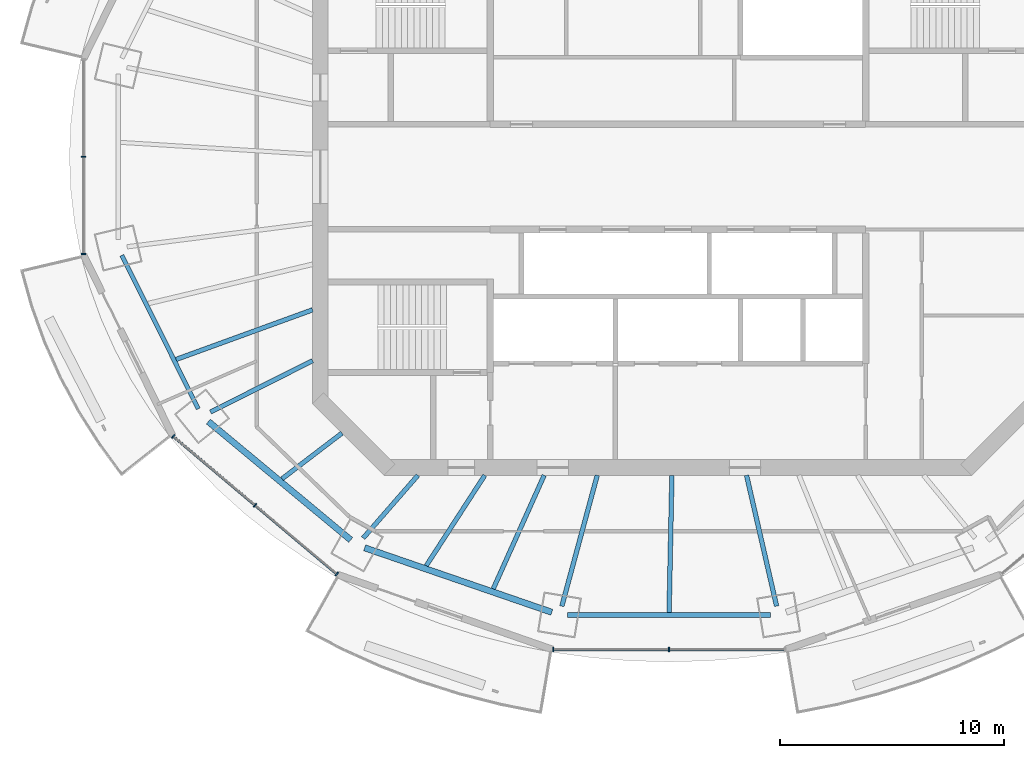
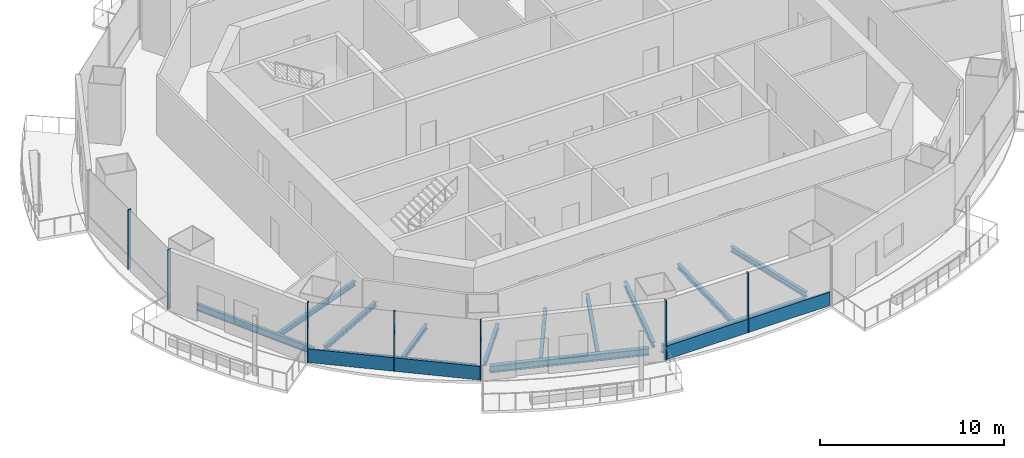
# One storey, part 2 of 16: 13 beams, 9 members, 3 elements without a shape of their own.
"""IFC4 building model written with IfcOpenShell, lengths in metres."""

from ifc_helpers import new_model, si_unit, direction, frame, origin, origin_2d, place, context, subcontext, project, spatial, rectangle, i_section, extrude, material, material_profile, profile_set, type_object, element, aggregate, save


model = new_model("IFC4")

# Units and contexts
model_context = context("Model", 3, precision=1e-05, world=origin(), true_north=direction((0.0, 1.0)))
body_context = subcontext(model_context, "Body", "Model", "MODEL_VIEW")
ifc_project = project(units=[si_unit("LENGTHUNIT", "METRE"), si_unit("AREAUNIT", "SQUARE_METRE"), si_unit("VOLUMEUNIT", "CUBIC_METRE"), si_unit("PLANEANGLEUNIT", "RADIAN"), si_unit("MASSUNIT", "GRAM", prefix="KILO")], contexts=[model_context])

# Site, building, storey
site_placement = place(None, origin())
site = spatial("IfcSite", under=ifc_project, at=site_placement, CompositionType="ELEMENT")
building_placement = place(site_placement, origin())
building = spatial("IfcBuilding", under=site, at=building_placement, Name="Marenthal Gate Tower", CompositionType="ELEMENT")
storey_placement = place(building_placement, frame((0.0, 0.0, 355.050048828125)))
storey = spatial("IfcBuildingStorey", under=building, at=storey_placement, Name="L80", CompositionType="ELEMENT", Elevation=355.050048828125)

# Curtain wall, members
ifc_material_1 = material(Name="Aluminium and glass", Category="aluminium")
curtain_wall_type = type_object("IfcCurtainWallType", Name="Curtain wall typical high", PredefinedType="NOTDEFINED", material=ifc_material_1)
curtain_wall_1_placement = place(storey_placement, origin())
curtain_wall_1 = element("IfcCurtainWall", 1, at=curtain_wall_1_placement, inside=storey, type_object=curtain_wall_type, Name="Curtain wall L80 bay 8", PredefinedType="NOTDEFINED")
ifc_material_2 = material(Name="Aluminium", Category="aluminium")
ifc_material_profile_1 = material_profile(ifc_material_2, rectangle(XDim=0.199951171875, YDim=0.06005859375, at=origin_2d()), Name="60x200 aluminium mullion")
ifc_profile_set_1 = profile_set([ifc_material_profile_1], Name="Aluminium")
member_type_1 = type_object("IfcMemberType", Name="Mullion 60x200 typical high", PredefinedType="MULLION", material=ifc_profile_set_1)
member_1_placement = place(storey_placement, frame((-26.59375, 0.89990234375, 0.0), z_axis=(0.0, 0.0, 1.0), x_axis=(1.0, 0.0, 0.0)))
member_1 = element("IfcMember", 2, at=member_1_placement, type_object=member_type_1, Name="Mullion L80 bay 8.2", PredefinedType="MULLION", context=body_context, shape_type="SweptSolid", body=[
    extrude(rectangle(XDim=0.199951171875, YDim=0.06005859375, at=origin_2d()), origin(), (0.0, 0.0, 1.0), 3.969970703125),
])
member_2_placement = place(storey_placement, frame((-26.59375, -3.454833984375, 0.0), z_axis=(0.0, 0.0, 1.0), x_axis=(1.0, 0.0, 0.0)))
member_2 = element("IfcMember", 3, at=member_2_placement, type_object=member_type_1, Name="Mullion L80 bay 8.3", PredefinedType="MULLION", context=body_context, shape_type="SweptSolid", body=[
    extrude(rectangle(XDim=0.199951171875, YDim=0.06005859375, at=origin_2d()), origin(), (0.0, 0.0, 1.0), 3.969970703125),
])
aggregate(curtain_wall_1, [member_1, member_2])

curtain_wall_2_placement = place(storey_placement, origin())
curtain_wall_2 = element("IfcCurtainWall", 4, at=curtain_wall_2_placement, inside=storey, type_object=curtain_wall_type, Name="Curtain wall L80 bay 10", PredefinedType="NOTDEFINED")
member_3_placement = place(storey_placement, frame((-22.583251953125, -11.606201171875, 0.0), z_axis=(0.0, 0.0, 1.0), x_axis=(0.643895579249, 0.765113379195, 0.0)))
member_3 = element("IfcMember", 5, at=member_3_placement, type_object=member_type_1, Name="Mullion L80 bay 10.1", PredefinedType="MULLION", context=body_context, shape_type="SweptSolid", body=[
    extrude(rectangle(XDim=0.199951171875, YDim=0.06005859375, at=origin_2d()), origin(), (0.0, 0.0, 1.0), 3.969970703125),
])
member_4_placement = place(storey_placement, frame((-18.921875, -14.6875, 0.0), z_axis=(0.0, 0.0, 1.0), x_axis=(0.643895579249, 0.765113379195, 0.0)))
member_4 = element("IfcMember", 6, at=member_4_placement, type_object=member_type_1, Name="Mullion L80 bay 10.2", PredefinedType="MULLION", context=body_context, shape_type="SweptSolid", body=[
    extrude(rectangle(XDim=0.199951171875, YDim=0.06005859375, at=origin_2d()), origin(), (0.0, 0.0, 1.0), 3.969970703125),
])
member_5_placement = place(storey_placement, frame((-15.260498046875, -17.768798828125, 0.0), z_axis=(0.0, 0.0, 1.0), x_axis=(0.643895579249, 0.765113379195, 0.0)))
member_5 = element("IfcMember", 7, at=member_5_placement, type_object=member_type_1, Name="Mullion L80 bay 10.3", PredefinedType="MULLION", context=body_context, shape_type="SweptSolid", body=[
    extrude(rectangle(XDim=0.199951171875, YDim=0.06005859375, at=origin_2d()), origin(), (0.0, 0.0, 1.0), 3.969970703125),
])

curtain_wall_3_placement = place(storey_placement, origin())
curtain_wall_3 = element("IfcCurtainWall", 8, at=curtain_wall_3_placement, inside=storey, type_object=curtain_wall_type, Name="Curtain wall L80 bay 12", PredefinedType="NOTDEFINED")
member_6_placement = place(storey_placement, frame((-5.580322265625, -21.14404296875, 0.0), z_axis=(0.0, 0.0, 1.0), x_axis=(0.0, 1.0, 0.0)))
member_6 = element("IfcMember", 9, at=member_6_placement, type_object=member_type_1, Name="Mullion L80 bay 12.1", PredefinedType="MULLION", context=body_context, shape_type="SweptSolid", body=[
    extrude(rectangle(XDim=0.199951171875, YDim=0.06005859375, at=origin_2d()), origin(), (0.0, 0.0, 1.0), 3.969970703125),
])
member_7_placement = place(storey_placement, frame((-0.39990234375, -21.14404296875, 0.0), z_axis=(0.0, 0.0, 1.0), x_axis=(0.0, 1.0, 0.0)))
member_7 = element("IfcMember", 10, at=member_7_placement, type_object=member_type_1, Name="Mullion L80 bay 12.2", PredefinedType="MULLION", context=body_context, shape_type="SweptSolid", body=[
    extrude(rectangle(XDim=0.199951171875, YDim=0.06005859375, at=origin_2d()), origin(), (0.0, 0.0, 1.0), 3.969970703125),
])

# Member
ifc_material_3 = material(Name="Aluminium", Category="aluminium")
ifc_material_profile_2 = material_profile(ifc_material_3, rectangle(XDim=0.1201171875, YDim=0.89990234375, at=origin_2d()), Name="120x900 aluminium transom")
ifc_profile_set_2 = profile_set([ifc_material_profile_2], Name="Aluminium")
member_type_2 = type_object("IfcMemberType", Name="Transom 120x900 typical high", PredefinedType="USERDEFINED", material=ifc_profile_set_2)
member_8_placement = place(storey_placement, frame((-22.560302734375, -11.625732421875, 0.449951171875), z_axis=(0.765123507082, -0.643883544526, 0.0), x_axis=(0.643883544526, 0.765123507082, 0.0)))
member_8 = element("IfcMember", 11, at=member_8_placement, type_object=member_type_2, Name="Transom L80 bay 10", ObjectType="TRANSOM", PredefinedType="USERDEFINED", context=body_context, shape_type="SweptSolid", body=[
    extrude(rectangle(XDim=0.1201171875, YDim=0.89990234375, at=origin_2d()), origin(), (0.0, 0.0, 1.0), 9.5107421875),
])

aggregate(curtain_wall_2, [member_3, member_4, member_5, member_8])

member_9_placement = place(storey_placement, frame((-5.55029296875, -21.14404296875, 0.449951171875), z_axis=(1.0, 0.0, 0.0), x_axis=(0.0, 1.0, 0.0)))
member_9 = element("IfcMember", 12, at=member_9_placement, type_object=member_type_2, Name="Transom L80 bay 12", ObjectType="TRANSOM", PredefinedType="USERDEFINED", context=body_context, shape_type="SweptSolid", body=[
    extrude(rectangle(XDim=0.1201171875, YDim=0.89990234375, at=origin_2d()), origin(), (0.0, 0.0, 1.0), 10.300537109375),
])

aggregate(curtain_wall_3, [member_6, member_7, member_9])

# Beams
ifc_material_4 = material(Name="Steel S355", Category="steel")
ifc_material_profile_3 = material_profile(ifc_material_4, i_section(OverallWidth=0.202880859375, OverallDepth=0.302001953125, WebThickness=0.007568359375, FlangeThickness=0.01318359375, FilletRadius=0.0126953125, at=origin_2d()), Name="W310X60")
ifc_profile_set_3 = profile_set([ifc_material_profile_3], Name="Steel S355")
beam_type_1 = type_object("IfcBeamType", Name="W310X60 beam", PredefinedType="BEAM", material=ifc_profile_set_3)
beam_1_placement = place(storey_placement, frame((-17.712158203125, -13.5048828125, -0.3310546875), z_axis=(0.79522706863, 0.606311726192, 0.0), x_axis=(-0.606311726192, 0.79522706863, 0.0)))
element("IfcBeam", 13, at=beam_1_placement, inside=storey, type_object=beam_type_1, Name="BM-L80-31", PredefinedType="BEAM", context=body_context, shape_type="SweptSolid", body=[
    extrude(i_section(OverallWidth=0.202880859375, OverallDepth=0.302001953125, WebThickness=0.007568359375, FlangeThickness=0.01318359375, FilletRadius=0.0126953125, at=origin_2d()), origin(), (0.0, 0.0, 1.0), 3.369140625),
])
beam_2_placement = place(storey_placement, frame((-11.262451171875, -17.393798828125, -0.3310546875), z_axis=(0.543528621465, 0.839390634716, 0.0), x_axis=(-0.839390634716, 0.543528621465, 0.0)))
element("IfcBeam", 14, at=beam_2_placement, inside=storey, type_object=beam_type_1, Name="BM-L80-32", PredefinedType="BEAM", context=body_context, shape_type="SweptSolid", body=[
    extrude(i_section(OverallWidth=0.202880859375, OverallDepth=0.302001953125, WebThickness=0.007568359375, FlangeThickness=0.01318359375, FilletRadius=0.0126953125, at=origin_2d()), origin(), (0.0, 0.0, 1.0), 4.8173828125),
])
beam_3_placement = place(storey_placement, frame((-8.263916015625, -18.4267578125, -0.3310546875), z_axis=(0.40918567328, 0.912451141038, 0.0), x_axis=(-0.912451141038, 0.40918567328, 0.0)))
element("IfcBeam", 15, at=beam_3_placement, inside=storey, type_object=beam_type_1, Name="BM-L80-33", PredefinedType="BEAM", context=body_context, shape_type="SweptSolid", body=[
    extrude(i_section(OverallWidth=0.202880859375, OverallDepth=0.302001953125, WebThickness=0.007568359375, FlangeThickness=0.01318359375, FilletRadius=0.0126953125, at=origin_2d()), origin(), (0.0, 0.0, 1.0), 5.563720703125),
])
ifc_material_5 = material(Name="Steel S355", Category="steel")
ifc_material_profile_4 = material_profile(ifc_material_5, i_section(OverallWidth=0.205078125, OverallDepth=0.31005859375, WebThickness=0.009521484375, FlangeThickness=0.016357421875, FilletRadius=0.0126953125, at=origin_2d()), Name="W310X74")
ifc_profile_set_4 = profile_set([ifc_material_profile_4], Name="Steel S355")
beam_type_2 = type_object("IfcBeamType", Name="W310X74 beam", PredefinedType="BEAM", material=ifc_profile_set_4)
beam_4_placement = place(storey_placement, frame((-20.916748046875, -10.520263671875, -0.3349609375), z_axis=(0.893364389056, 0.449332914848, 0.0), x_axis=(-0.449332914848, 0.893364389056, 0.0)))
element("IfcBeam", 16, at=beam_4_placement, inside=storey, type_object=beam_type_2, Name="BM-L80-10", PredefinedType="BEAM", context=body_context, shape_type="SweptSolid", body=[
    extrude(i_section(OverallWidth=0.205078125, OverallDepth=0.31005859375, WebThickness=0.009521484375, FlangeThickness=0.016357421875, FilletRadius=0.0126953125, at=origin_2d()), origin(), (0.0, 0.0, 1.0), 5.11181640625),
])
beam_5_placement = place(storey_placement, frame((-14.083740234375, -16.15771484375, -0.3349609375), z_axis=(0.657074080223, 0.753826009832, 0.0), x_axis=(-0.753826009832, 0.657074080223, 0.0)))
element("IfcBeam", 17, at=beam_5_placement, inside=storey, type_object=beam_type_2, Name="BM-L80-11", PredefinedType="BEAM", context=body_context, shape_type="SweptSolid", body=[
    extrude(i_section(OverallWidth=0.205078125, OverallDepth=0.31005859375, WebThickness=0.009521484375, FlangeThickness=0.016357421875, FilletRadius=0.0126953125, at=origin_2d()), origin(), (0.0, 0.0, 1.0), 3.724609375),
])
beam_6_placement = place(storey_placement, frame((-22.45263671875, -8.16552734375, -0.3349609375), z_axis=(0.9397747608, 0.341794381118, 0.0), x_axis=(-0.341794381118, 0.9397747608, 0.0)))
element("IfcBeam", 18, at=beam_6_placement, inside=storey, type_object=beam_type_2, Name="BM-L80-30", PredefinedType="BEAM", context=body_context, shape_type="SweptSolid", body=[
    extrude(i_section(OverallWidth=0.205078125, OverallDepth=0.31005859375, WebThickness=0.009521484375, FlangeThickness=0.016357421875, FilletRadius=0.0126953125, at=origin_2d()), origin(), (0.0, 0.0, 1.0), 6.49365234375),
])
beam_7_placement = place(storey_placement, frame((-0.397705078125, -19.488525390625, -0.3349609375), z_axis=(0.020399047601, 0.999791917779, 0.0), x_axis=(-0.999791917779, 0.020399047601, 0.0)))
element("IfcBeam", 19, at=beam_7_placement, inside=storey, type_object=beam_type_2, Name="BM-L80-34", PredefinedType="BEAM", context=body_context, shape_type="SweptSolid", body=[
    extrude(i_section(OverallWidth=0.205078125, OverallDepth=0.31005859375, WebThickness=0.009521484375, FlangeThickness=0.016357421875, FilletRadius=0.0126953125, at=origin_2d()), origin(), (0.0, 0.0, 1.0), 6.1396484375),
])
ifc_material_6 = material(Name="Steel S355", Category="steel")
ifc_material_profile_5 = material_profile(ifc_material_6, i_section(OverallWidth=0.205078125, OverallDepth=0.35302734375, WebThickness=0.009521484375, FlangeThickness=0.016845703125, FilletRadius=0.014892578125, at=origin_2d()), Name="W360X79")
ifc_profile_set_5 = profile_set([ifc_material_profile_5], Name="Steel S355")
beam_type_3 = type_object("IfcBeamType", Name="W360X79 beam", PredefinedType="BEAM", material=ifc_profile_set_5)
beam_8_placement = place(storey_placement, frame((-5.1962890625, -19.2041015625, -0.3564453125), z_axis=(0.261188869027, 0.965287716019, 0.0), x_axis=(-0.965287716019, 0.261188869027, 0.0)))
element("IfcBeam", 20, at=beam_8_placement, inside=storey, type_object=beam_type_3, Name="BM-L80-12", PredefinedType="BEAM", context=body_context, shape_type="SweptSolid", body=[
    extrude(i_section(OverallWidth=0.205078125, OverallDepth=0.35302734375, WebThickness=0.009521484375, FlangeThickness=0.016845703125, FilletRadius=0.014892578125, at=origin_2d()), origin(), (0.0, 0.0, 1.0), 6.064453125),
])
beam_9_placement = place(storey_placement, frame((4.412109375, -19.202880859375, -0.3564453125), z_axis=(-0.223924124815, 0.97460658028, 0.0), x_axis=(-0.97460658028, -0.223924124815, 0.0)))
element("IfcBeam", 21, at=beam_9_placement, inside=storey, type_object=beam_type_3, Name="BM-L80-13", PredefinedType="BEAM", context=body_context, shape_type="SweptSolid", body=[
    extrude(i_section(OverallWidth=0.205078125, OverallDepth=0.35302734375, WebThickness=0.009521484375, FlangeThickness=0.016845703125, FilletRadius=0.014892578125, at=origin_2d()), origin(), (0.0, 0.0, 1.0), 6.00537109375),
])
ifc_material_7 = material(Name="Steel S355", Category="steel")
ifc_material_profile_6 = material_profile(ifc_material_7, i_section(OverallWidth=0.279052734375, OverallDepth=0.4619140625, WebThickness=0.0107421875, FlangeThickness=0.017333984375, FilletRadius=0.010009765625, at=origin_2d()), Name="W460X113")
ifc_profile_set_6 = profile_set([ifc_material_profile_6], Name="Steel S355")
beam_type_4 = type_object("IfcBeamType", Name="W460X113 beam", PredefinedType="BEAM", material=ifc_profile_set_6)
beam_10_placement = place(storey_placement, frame((-21.009765625, -10.944091796875, -0.4111328125), z_axis=(0.768870696741, -0.639404294396, 0.0), x_axis=(0.639404294396, 0.768870696741, 0.0)))
element("IfcBeam", 22, at=beam_10_placement, inside=storey, type_object=beam_type_4, Name="BM-L80-49", PredefinedType="BEAM", context=body_context, shape_type="SweptSolid", body=[
    extrude(i_section(OverallWidth=0.279052734375, OverallDepth=0.4619140625, WebThickness=0.0107421875, FlangeThickness=0.017333984375, FilletRadius=0.010009765625, at=origin_2d()), origin(), (0.0, 0.0, 1.0), 8.2841796875),
])
beam_11_placement = place(storey_placement, frame((-14.016357421875, -16.5927734375, -0.4111328125), z_axis=(0.945481925579, -0.325674574389, 0.0), x_axis=(0.325674574389, 0.945481925579, 0.0)))
element("IfcBeam", 23, at=beam_11_placement, inside=storey, type_object=beam_type_4, Name="BM-L80-50", PredefinedType="BEAM", context=body_context, shape_type="SweptSolid", body=[
    extrude(i_section(OverallWidth=0.279052734375, OverallDepth=0.4619140625, WebThickness=0.0107421875, FlangeThickness=0.017333984375, FilletRadius=0.010009765625, at=origin_2d()), origin(), (0.0, 0.0, 1.0), 8.854736328125),
])
ifc_material_8 = material(Name="Steel S355", Category="steel")
ifc_material_profile_7 = material_profile(ifc_material_8, i_section(OverallWidth=0.19091796875, OverallDepth=0.45703125, WebThickness=0.009033203125, FlangeThickness=0.014404296875, FilletRadius=0.01025390625, at=origin_2d()), Name="W460X74")
ifc_profile_set_7 = profile_set([ifc_material_profile_7], Name="Steel S355")
beam_type_5 = type_object("IfcBeamType", Name="W460X74 beam", PredefinedType="BEAM", material=ifc_profile_set_7)
beam_12_placement = place(storey_placement, frame((-24.878173828125, -3.510009765625, -0.408447265625), z_axis=(0.445851213562, -0.895107085977, 0.0), x_axis=(0.895107085977, 0.445851213562, 0.0)))
element("IfcBeam", 24, at=beam_12_placement, inside=storey, type_object=beam_type_5, Name="BM-L80-48", PredefinedType="BEAM", context=body_context, shape_type="SweptSolid", body=[
    extrude(i_section(OverallWidth=0.19091796875, OverallDepth=0.45703125, WebThickness=0.009033203125, FlangeThickness=0.014404296875, FilletRadius=0.01025390625, at=origin_2d()), origin(), (0.0, 0.0, 1.0), 7.6728515625),
])
ifc_material_9 = material(Name="Steel S355", Category="steel")
ifc_material_profile_8 = material_profile(ifc_material_9, i_section(OverallWidth=0.2119140625, OverallDepth=0.5439453125, WebThickness=0.01318359375, FlangeThickness=0.021240234375, FilletRadius=0.0126953125, at=origin_2d()), Name="W530X123")
ifc_profile_set_8 = profile_set([ifc_material_profile_8], Name="Steel S355")
beam_type_6 = type_object("IfcBeamType", Name="W530X123 beam", PredefinedType="BEAM", material=ifc_profile_set_8)
beam_13_placement = place(storey_placement, frame((-4.9404296875, -19.594482421875, -0.4521484375), z_axis=(1.0, 0.0, 0.0), x_axis=(0.0, 1.0, 0.0)))
element("IfcBeam", 25, at=beam_13_placement, inside=storey, type_object=beam_type_6, Name="BM-L80-51", PredefinedType="BEAM", context=body_context, shape_type="SweptSolid", body=[
    extrude(i_section(OverallWidth=0.2119140625, OverallDepth=0.5439453125, WebThickness=0.01318359375, FlangeThickness=0.021240234375, FilletRadius=0.0126953125, at=origin_2d()), origin(), (0.0, 0.0, 1.0), 9.080810546875),
])

save(model, "model.ifc")
